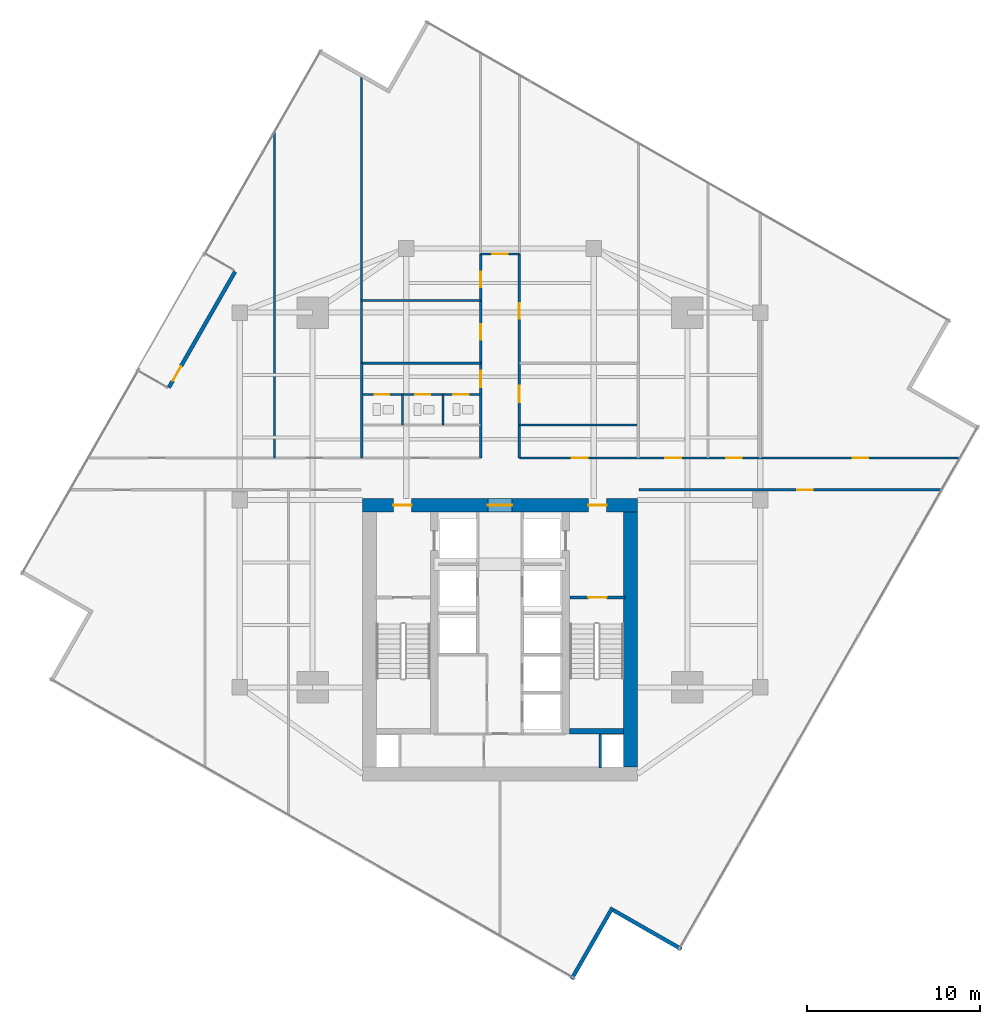
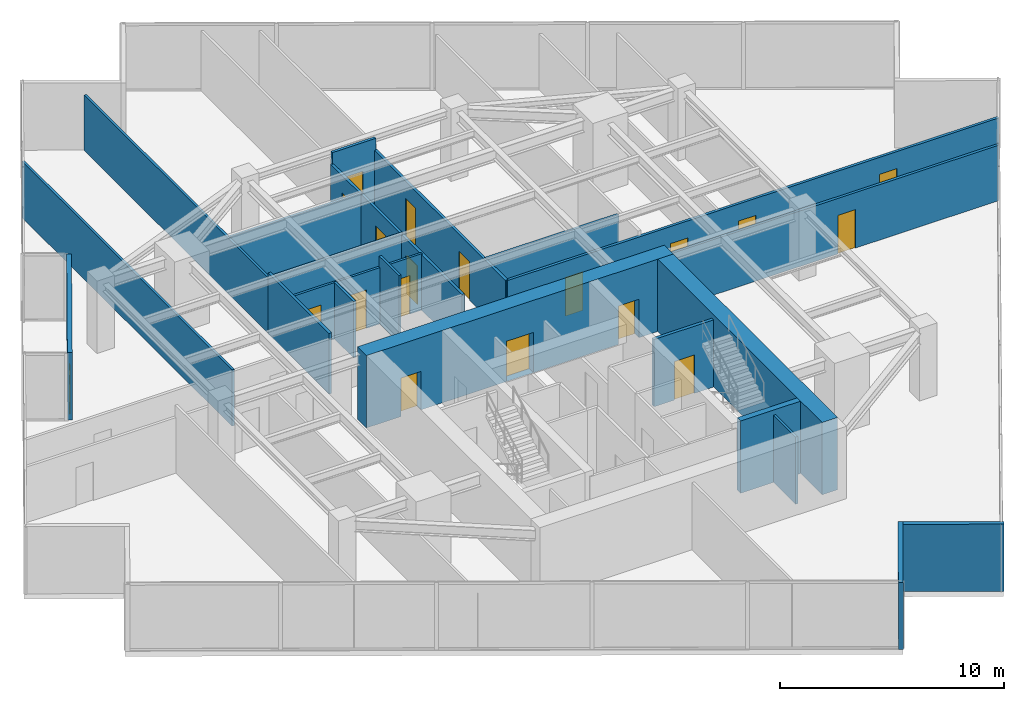
# One storey, part 21 of 24: 22 walls, 19 doors, 19 openings.
"""IFC4 building model written with IfcOpenShell, lengths in metres."""

from ifc_helpers import new_model, si_unit, direction, frame, frame_2d, origin, place, context, subcontext, project, spatial, rectangle, extrude, material, layer, layer_set, type_object, element, fill, save


model = new_model("IFC4")

# Units and contexts
model_context = context("Model", 3, precision=1e-05, world=origin(), true_north=direction((0.0, 1.0)))
body_context = subcontext(model_context, "Body", "Model", "MODEL_VIEW")
ifc_project = project(units=[si_unit("LENGTHUNIT", "METRE"), si_unit("AREAUNIT", "SQUARE_METRE"), si_unit("VOLUMEUNIT", "CUBIC_METRE"), si_unit("PLANEANGLEUNIT", "RADIAN"), si_unit("MASSUNIT", "GRAM", prefix="KILO")], contexts=[model_context])

# Site, building, storey
site_placement = place(None, origin())
site = spatial("IfcSite", under=ifc_project, at=site_placement, CompositionType="ELEMENT")
building_placement = place(site_placement, origin())
building = spatial("IfcBuilding", under=site, at=building_placement, Name="Krantzveldt Concourse Tower", CompositionType="ELEMENT")
storey_placement = place(building_placement, frame((0.0, 0.0, 162.0)))
storey = spatial("IfcBuildingStorey", under=building, at=storey_placement, Name="L39", CompositionType="ELEMENT", Elevation=162.0)

# Wall, opening, door
ifc_material_1 = material(Name="Anodised aluminium 6063-T6", Category="aluminium")
ifc_layer_1 = layer(ifc_material_1, 0.219970703125, Name="Anodised aluminium 6063-T6", Category="aluminium")
ifc_layer_set_1 = layer_set([ifc_layer_1], Name="Anodised aluminium 6063-T6 (WL-EXT-NOTCH220)")
wall_type_1 = type_object("IfcWallType", Name="WL-EXT-NOTCH220", PredefinedType="ELEMENTEDWALL", material=ifc_layer_set_1)
wall_1_placement = place(storey_placement, frame((16.910400390625, 33.181884765625, 0.0), z_axis=(0.0, 0.0, 1.0), x_axis=(0.496214153759, 0.868200157572, 0.0)))
wall_1 = element("IfcWall", 1, at=wall_1_placement, inside=storey, type_object=wall_type_1, Name="EW-L39-TSLOT", PredefinedType="ELEMENTEDWALL", context=body_context, shape_type="SweptSolid", body=[
    extrude(rectangle(XDim=7.68994140625, YDim=0.219970703125, at=frame_2d((3.844970703125, 0.0))), origin(), (0.0, 0.0, 1.0), 3.669921875),
])
opening_1_placement = place(wall_1_placement, frame((0.449951171875, 0.0, 0.0)))
opening_1 = element("IfcOpeningElement", 2, at=opening_1_placement, cuts=wall_1, Name="Opening D-EX95", PredefinedType="OPENING", context=body_context, shape_type="SweptSolid", body=[
    extrude(rectangle(XDim=0.949951171875, YDim=2.10009765625, at=frame_2d((0.47509765625, 1.050048828125))), frame((0.0, 0.1201171875, 0.0), z_axis=(0.0, -1.0, 0.0), x_axis=(1.0, 0.0, 0.0)), (0.0, 0.0, 1.0), 0.239990234375),
])
door_type_1 = type_object("IfcDoorType", Name="DR-EXT-950", OperationType="SINGLE_SWING_LEFT", PredefinedType="DOOR", material=ifc_material_1)
door_1_placement = place(opening_1_placement, origin())
door_1 = element("IfcDoor", 3, at=door_1_placement, inside=storey, type_object=door_type_1, Name="DR-L39-TERR", OperationType="SINGLE_SWING_LEFT", OverallHeight=2.10009765625, OverallWidth=0.949951171875, PredefinedType="DOOR", context=body_context, shape_type="SweptSolid", body=[
    extrude(rectangle(XDim=0.949951171875, YDim=2.10009765625, at=frame_2d((0.47509765625, 1.050048828125))), frame((0.0, 0.02490234375, 0.0), z_axis=(0.0, -1.0, 0.0), x_axis=(1.0, 0.0, 0.0)), (0.0, 0.0, 1.0), 0.050048828125),
])
fill(opening_1, door_1)

# Walls
wall_2_placement = place(storey_placement, frame((40.131591796875, -0.914794921875, 0.0), z_axis=(0.0, 0.0, 1.0), x_axis=(0.496205429031, 0.868205144076, 0.0)))
element("IfcWall", 4, at=wall_2_placement, inside=storey, type_object=wall_type_1, Name="EW-L39-NCH09", PredefinedType="ELEMENTEDWALL", context=body_context, shape_type="SweptSolid", body=[
    extrude(rectangle(XDim=4.744873046875, YDim=0.219970703125, at=frame_2d((2.37255859375, 0.0))), origin(), (0.0, 0.0, 1.0), 3.669921875),
])
wall_3_placement = place(storey_placement, frame((42.527099609375, 3.0546875, 0.0), z_axis=(0.0, 0.0, 1.0), x_axis=(0.868193332938, -0.496226094278, 0.0)))
element("IfcWall", 5, at=wall_3_placement, inside=storey, type_object=wall_type_1, Name="EW-L39-NCH10", PredefinedType="ELEMENTEDWALL", context=body_context, shape_type="SweptSolid", body=[
    extrude(rectangle(XDim=4.52490234375, YDim=0.219970703125, at=frame_2d((2.262451171875, 0.0))), origin(), (0.0, 0.0, 1.0), 3.669921875),
])
ifc_material_2 = material(Name="Fire-rated gypsum plasterboard on steel stud", Category="steel")
ifc_layer_2 = layer(ifc_material_2, 0.1201171875, Name="Fire-rated gypsum plasterboard on steel stud", Category="steel")
ifc_layer_set_2 = layer_set([ifc_layer_2], Name="Fire-rated gypsum plasterboard on steel stud (WL-PART-120)")
wall_type_2 = type_object("IfcWallType", Name="WL-PART-120", PredefinedType="PARTITIONING", material=ifc_layer_set_2)
wall_4_placement = place(storey_placement, frame((37.1201171875, 31.02001953125, 0.0), z_axis=(0.0, 0.0, 1.0), x_axis=(1.0, 0.0, 0.0)))
element("IfcWall", 6, at=wall_4_placement, inside=storey, type_object=wall_type_2, Name="WP-L39-ISMR", PredefinedType="PARTITIONING", context=body_context, shape_type="SweptSolid", body=[
    extrude(rectangle(XDim=6.85986328125, YDim=0.1201171875, at=frame_2d((3.429931640625, 0.0))), origin(), (0.0, 0.0, 1.0), 3.080078125),
])

# Wall, openings, doors
wall_5_placement = place(storey_placement, frame((28.050048828125, 32.780029296875, 0.0), z_axis=(0.0, 0.0, 1.0), x_axis=(1.0, 0.0, 0.0)))
wall_5 = element("IfcWall", 7, at=wall_5_placement, inside=storey, type_object=wall_type_2, Name="WP-L39-WCHDR", PredefinedType="PARTITIONING", context=body_context, shape_type="SweptSolid", body=[
    extrude(rectangle(XDim=6.800048828125, YDim=0.1201171875, at=frame_2d((3.39990234375, 0.0))), origin(), (0.0, 0.0, 1.0), 3.080078125),
])
opening_2_placement = place(wall_5_placement, frame((0.72509765625, 0.0, 0.0)))
opening_2 = element("IfcOpeningElement", 8, at=opening_2_placement, cuts=wall_5, Name="Opening D-IN085", PredefinedType="OPENING", context=body_context, shape_type="SweptSolid", body=[
    extrude(rectangle(XDim=0.85009765625, YDim=2.10009765625, at=frame_2d((0.425048828125, 1.050048828125))), frame((0.0, 0.070068359375, 0.0), z_axis=(0.0, -1.0, 0.0), x_axis=(1.0, 0.0, 0.0)), (0.0, 0.0, 1.0), 0.14013671875),
])
opening_3_placement = place(wall_5_placement, frame((3.06494140625, 0.0, 0.0)))
opening_3 = element("IfcOpeningElement", 9, at=opening_3_placement, cuts=wall_5, Name="Opening D-IN085", PredefinedType="OPENING", context=body_context, shape_type="SweptSolid", body=[
    extrude(rectangle(XDim=0.85009765625, YDim=2.10009765625, at=frame_2d((0.425048828125, 1.050048828125))), frame((0.0, 0.070068359375, 0.0), z_axis=(0.0, -1.0, 0.0), x_axis=(1.0, 0.0, 0.0)), (0.0, 0.0, 1.0), 0.14013671875),
])
opening_4_placement = place(wall_5_placement, frame((5.25, 0.0, 0.0)))
opening_4 = element("IfcOpeningElement", 10, at=opening_4_placement, cuts=wall_5, Name="Opening D-IN090", PredefinedType="OPENING", context=body_context, shape_type="SweptSolid", body=[
    extrude(rectangle(XDim=0.89990234375, YDim=2.10009765625, at=frame_2d((0.449951171875, 1.050048828125))), frame((0.0, 0.070068359375, 0.0), z_axis=(0.0, -1.0, 0.0), x_axis=(1.0, 0.0, 0.0)), (0.0, 0.0, 1.0), 0.14013671875),
])
ifc_material_3 = material(Name="Hardwood timber", Category="wood")
door_type_2 = type_object("IfcDoorType", Name="DR-INT-850", OperationType="SINGLE_SWING_LEFT", PredefinedType="DOOR", material=ifc_material_3)
door_2_placement = place(opening_2_placement, origin())
door_2 = element("IfcDoor", 11, at=door_2_placement, inside=storey, type_object=door_type_2, Name="DR-L39-WCM", OperationType="SINGLE_SWING_LEFT", OverallHeight=2.10009765625, OverallWidth=0.85009765625, PredefinedType="DOOR", context=body_context, shape_type="SweptSolid", body=[
    extrude(rectangle(XDim=0.85009765625, YDim=2.10009765625, at=frame_2d((0.425048828125, 1.050048828125))), frame((0.0, 0.02490234375, 0.0), z_axis=(0.0, -1.0, 0.0), x_axis=(1.0, 0.0, 0.0)), (0.0, 0.0, 1.0), 0.050048828125),
])
fill(opening_2, door_2)
door_3_placement = place(opening_3_placement, origin())
door_3 = element("IfcDoor", 12, at=door_3_placement, inside=storey, type_object=door_type_2, Name="DR-L39-WCF", OperationType="SINGLE_SWING_RIGHT", OverallHeight=2.10009765625, OverallWidth=0.85009765625, PredefinedType="DOOR", context=body_context, shape_type="SweptSolid", body=[
    extrude(rectangle(XDim=0.85009765625, YDim=2.10009765625, at=frame_2d((0.425048828125, 1.050048828125))), frame((0.0, 0.02490234375, 0.0), z_axis=(0.0, -1.0, 0.0), x_axis=(1.0, 0.0, 0.0)), (0.0, 0.0, 1.0), 0.050048828125),
])
fill(opening_3, door_3)
door_type_3 = type_object("IfcDoorType", Name="DR-INT-900", OperationType="SINGLE_SWING_LEFT", PredefinedType="DOOR", material=ifc_material_3)
door_4_placement = place(opening_4_placement, origin())
door_4 = element("IfcDoor", 13, at=door_4_placement, inside=storey, type_object=door_type_3, Name="DR-L39-WCA", OperationType="SINGLE_SWING_LEFT", OverallHeight=2.10009765625, OverallWidth=0.89990234375, PredefinedType="DOOR", context=body_context, shape_type="SweptSolid", body=[
    extrude(rectangle(XDim=0.89990234375, YDim=2.10009765625, at=frame_2d((0.449951171875, 1.050048828125))), frame((0.0, 0.02490234375, 0.0), z_axis=(0.0, -1.0, 0.0), x_axis=(1.0, 0.0, 0.0)), (0.0, 0.0, 1.0), 0.050048828125),
])
fill(opening_4, door_4)

# Walls
wall_6_placement = place(storey_placement, frame((30.3701171875, 31.02001953125, 0.0), z_axis=(0.0, 0.0, 1.0), x_axis=(0.0, 1.0, 0.0)))
element("IfcWall", 14, at=wall_6_placement, inside=storey, type_object=wall_type_2, Name="WP-L39-WCD1", PredefinedType="PARTITIONING", context=body_context, shape_type="SweptSolid", body=[
    extrude(rectangle(XDim=1.760009765625, YDim=0.1201171875, at=frame_2d((0.8798828125, 0.0))), origin(), (0.0, 0.0, 1.0), 3.080078125),
])
wall_7_placement = place(storey_placement, frame((32.7099609375, 31.02001953125, 0.0), z_axis=(0.0, 0.0, 1.0), x_axis=(0.0, 1.0, 0.0)))
element("IfcWall", 15, at=wall_7_placement, inside=storey, type_object=wall_type_2, Name="WP-L39-WCD2", PredefinedType="PARTITIONING", context=body_context, shape_type="SweptSolid", body=[
    extrude(rectangle(XDim=1.760009765625, YDim=0.1201171875, at=frame_2d((0.8798828125, 0.0))), origin(), (0.0, 0.0, 1.0), 3.669921875),
])
wall_8_placement = place(storey_placement, frame((23.0, 29.1201171875, 0.0), z_axis=(0.0, 0.0, 1.0), x_axis=(0.0, 1.0, 0.0)))
element("IfcWall", 16, at=wall_8_placement, inside=storey, type_object=wall_type_2, Name="WP-L39-NWX1", PredefinedType="PARTITIONING", context=body_context, shape_type="SweptSolid", body=[
    extrude(rectangle(XDim=18.787109375, YDim=0.1201171875, at=frame_2d((9.3935546875, 0.0))), origin(), (0.0, 0.0, 1.0), 3.080078125),
])
wall_9_placement = place(storey_placement, frame((28.02001953125, 34.580078125, 0.0), z_axis=(0.0, 0.0, 1.0), x_axis=(0.0, 1.0, 0.0)))
element("IfcWall", 17, at=wall_9_placement, inside=storey, type_object=wall_type_2, Name="WP-L39-ISWL2", PredefinedType="PARTITIONING", context=body_context, shape_type="SweptSolid", body=[
    extrude(rectangle(XDim=16.463134765625, YDim=0.1201171875, at=frame_2d((8.2314453125, 0.0))), origin(), (0.0, 0.0, 1.0), 3.030029296875),
])
wall_10_placement = place(storey_placement, frame((28.02001953125, 38.199951171875, 0.0), z_axis=(0.0, 0.0, 1.0), x_axis=(1.0, 0.0, 0.0)))
element("IfcWall", 18, at=wall_10_placement, inside=storey, type_object=wall_type_2, Name="WP-L39-NWIY", PredefinedType="PARTITIONING", context=body_context, shape_type="SweptSolid", body=[
    extrude(rectangle(XDim=6.85986328125, YDim=0.1201171875, at=frame_2d((3.429931640625, 0.0))), origin(), (0.0, 0.0, 1.0), 3.080078125),
])

# Wall, openings, doors
ifc_layer_3 = layer(ifc_material_2, 0.139892578125, Name="Fire-rated gypsum plasterboard on steel stud", Category="steel")
ifc_layer_set_3 = layer_set([ifc_layer_3], Name="Fire-rated gypsum plasterboard on steel stud (WL-PART-140)")
wall_type_3 = type_object("IfcWallType", Name="WL-PART-140", PredefinedType="PARTITIONING", material=ifc_layer_set_3)
wall_11_placement = place(storey_placement, frame((34.8798828125, 29.1201171875, 0.0), z_axis=(0.0, 0.0, 1.0), x_axis=(0.0, 1.0, 0.0)))
wall_11 = element("IfcWall", 19, at=wall_11_placement, inside=storey, type_object=wall_type_3, Name="WP-L39-SPWL", PredefinedType="PARTITIONING", context=body_context, shape_type="SweptSolid", body=[
    extrude(rectangle(XDim=11.759765625, YDim=0.139892578125, at=frame_2d((5.8798828125, 0.0))), origin(), (0.0, 0.0, 1.0), 3.030029296875),
])
opening_5_placement = place(wall_11_placement, frame((4.0849609375, 0.0, 0.0)))
opening_5 = element("IfcOpeningElement", 20, at=opening_5_placement, cuts=wall_11, Name="Opening D-IN095", PredefinedType="OPENING", context=body_context, shape_type="SweptSolid", body=[
    extrude(rectangle(XDim=0.949951171875, YDim=2.10009765625, at=frame_2d((0.47509765625, 1.050048828125))), frame((0.0, 0.080078125, 0.0), z_axis=(0.0, -1.0, 0.0), x_axis=(1.0, 0.0, 0.0)), (0.0, 0.0, 1.0), 0.159912109375),
])
opening_6_placement = place(wall_11_placement, frame((6.820068359375, 0.0, 0.0)))
opening_6 = element("IfcOpeningElement", 21, at=opening_6_placement, cuts=wall_11, Name="Opening D-IN090", PredefinedType="OPENING", context=body_context, shape_type="SweptSolid", body=[
    extrude(rectangle(XDim=0.89990234375, YDim=2.10009765625, at=frame_2d((0.449951171875, 1.050048828125))), frame((0.0, 0.080078125, 0.0), z_axis=(0.0, -1.0, 0.0), x_axis=(1.0, 0.0, 0.0)), (0.0, 0.0, 1.0), 0.159912109375),
])
opening_7_placement = place(wall_11_placement, frame((9.830078125, 0.0, 0.0)))
opening_7 = element("IfcOpeningElement", 22, at=opening_7_placement, cuts=wall_11, Name="Opening D-IN090", PredefinedType="OPENING", context=body_context, shape_type="SweptSolid", body=[
    extrude(rectangle(XDim=0.89990234375, YDim=2.10009765625, at=frame_2d((0.449951171875, 1.050048828125))), frame((0.0, 0.080078125, 0.0), z_axis=(0.0, -1.0, 0.0), x_axis=(1.0, 0.0, 0.0)), (0.0, 0.0, 1.0), 0.159912109375),
])
door_5_placement = place(opening_6_placement, origin())
door_5 = element("IfcDoor", 23, at=door_5_placement, inside=storey, type_object=door_type_3, Name="DR-L39-NWI1", OperationType="SINGLE_SWING_LEFT", OverallHeight=2.10009765625, OverallWidth=0.89990234375, PredefinedType="DOOR", context=body_context, shape_type="SweptSolid", body=[
    extrude(rectangle(XDim=0.89990234375, YDim=2.10009765625, at=frame_2d((0.449951171875, 1.050048828125))), frame((0.0, 0.02490234375, 0.0), z_axis=(0.0, -1.0, 0.0), x_axis=(1.0, 0.0, 0.0)), (0.0, 0.0, 1.0), 0.050048828125),
])
fill(opening_6, door_5)
door_6_placement = place(opening_7_placement, origin())
door_6 = element("IfcDoor", 24, at=door_6_placement, inside=storey, type_object=door_type_3, Name="DR-L39-NWI2", OperationType="SINGLE_SWING_LEFT", OverallHeight=2.10009765625, OverallWidth=0.89990234375, PredefinedType="DOOR", context=body_context, shape_type="SweptSolid", body=[
    extrude(rectangle(XDim=0.89990234375, YDim=2.10009765625, at=frame_2d((0.449951171875, 1.050048828125))), frame((0.0, 0.02490234375, 0.0), z_axis=(0.0, -1.0, 0.0), x_axis=(1.0, 0.0, 0.0)), (0.0, 0.0, 1.0), 0.050048828125),
])
fill(opening_7, door_6)
door_type_4 = type_object("IfcDoorType", Name="DR-INT-950", OperationType="SINGLE_SWING_LEFT", PredefinedType="DOOR", material=ifc_material_3)
door_7_placement = place(opening_5_placement, origin())
door_7 = element("IfcDoor", 25, at=door_7_placement, inside=storey, type_object=door_type_4, Name="DR-L39-WCLB", OperationType="SINGLE_SWING_LEFT", OverallHeight=2.10009765625, OverallWidth=0.949951171875, PredefinedType="DOOR", context=body_context, shape_type="SweptSolid", body=[
    extrude(rectangle(XDim=0.949951171875, YDim=2.10009765625, at=frame_2d((0.47509765625, 1.050048828125))), frame((0.0, 0.02490234375, 0.0), z_axis=(0.0, -1.0, 0.0), x_axis=(1.0, 0.0, 0.0)), (0.0, 0.0, 1.0), 0.050048828125),
])
fill(opening_5, door_7)

wall_12_placement = place(storey_placement, frame((37.1201171875, 29.1201171875, 0.0), z_axis=(0.0, 0.0, 1.0), x_axis=(0.0, 1.0, 0.0)))
wall_12 = element("IfcWall", 26, at=wall_12_placement, inside=storey, type_object=wall_type_3, Name="WP-L39-SPER", PredefinedType="PARTITIONING", context=body_context, shape_type="SweptSolid", body=[
    extrude(rectangle(XDim=11.759765625, YDim=0.139892578125, at=frame_2d((5.8798828125, 0.0))), origin(), (0.0, 0.0, 1.0), 3.030029296875),
])
opening_8_placement = place(wall_12_placement, frame((3.205078125, 0.0, 0.0)))
opening_8 = element("IfcOpeningElement", 27, at=opening_8_placement, cuts=wall_12, Name="Opening D-IN095", PredefinedType="OPENING", context=body_context, shape_type="SweptSolid", body=[
    extrude(rectangle(XDim=0.949951171875, YDim=2.10009765625, at=frame_2d((0.47509765625, 1.050048828125))), frame((0.0, 0.080078125, 0.0), z_axis=(0.0, -1.0, 0.0), x_axis=(1.0, 0.0, 0.0)), (0.0, 0.0, 1.0), 0.159912109375),
])
opening_9_placement = place(wall_12_placement, frame((8.02001953125, 0.0, 0.0)))
opening_9 = element("IfcOpeningElement", 28, at=opening_9_placement, cuts=wall_12, Name="Opening D-IN090", PredefinedType="OPENING", context=body_context, shape_type="SweptSolid", body=[
    extrude(rectangle(XDim=0.89990234375, YDim=2.10009765625, at=frame_2d((0.449951171875, 1.050048828125))), frame((0.0, 0.080078125, 0.0), z_axis=(0.0, -1.0, 0.0), x_axis=(1.0, 0.0, 0.0)), (0.0, 0.0, 1.0), 0.159912109375),
])
door_8_placement = place(opening_9_placement, origin())
door_8 = element("IfcDoor", 29, at=door_8_placement, inside=storey, type_object=door_type_3, Name="DR-L39-NEI1", OperationType="SINGLE_SWING_LEFT", OverallHeight=2.10009765625, OverallWidth=0.89990234375, PredefinedType="DOOR", context=body_context, shape_type="SweptSolid", body=[
    extrude(rectangle(XDim=0.89990234375, YDim=2.10009765625, at=frame_2d((0.449951171875, 1.050048828125))), frame((0.0, 0.02490234375, 0.0), z_axis=(0.0, -1.0, 0.0), x_axis=(1.0, 0.0, 0.0)), (0.0, 0.0, 1.0), 0.050048828125),
])
fill(opening_9, door_8)
door_9_placement = place(opening_8_placement, origin())
door_9 = element("IfcDoor", 30, at=door_9_placement, inside=storey, type_object=door_type_4, Name="DR-L39-PNT", OperationType="SINGLE_SWING_RIGHT", OverallHeight=2.10009765625, OverallWidth=0.949951171875, PredefinedType="DOOR", context=body_context, shape_type="SweptSolid", body=[
    extrude(rectangle(XDim=0.949951171875, YDim=2.10009765625, at=frame_2d((0.47509765625, 1.050048828125))), frame((0.0, 0.02490234375, 0.0), z_axis=(0.0, -1.0, 0.0), x_axis=(1.0, 0.0, 0.0)), (0.0, 0.0, 1.0), 0.050048828125),
])
fill(opening_8, door_9)

# Wall, opening, door
wall_13_placement = place(storey_placement, frame((34.8798828125, 40.8798828125, 0.0), z_axis=(0.0, 0.0, 1.0), x_axis=(1.0, 0.0, 0.0)))
wall_13 = element("IfcWall", 31, at=wall_13_placement, inside=storey, type_object=wall_type_3, Name="WP-L39-SPTOP", PredefinedType="PARTITIONING", context=body_context, shape_type="SweptSolid", body=[
    extrude(rectangle(XDim=2.240234375, YDim=0.139892578125, at=frame_2d((1.1201171875, 0.0))), origin(), (0.0, 0.0, 1.0), 3.669921875),
])
opening_10_placement = place(wall_13_placement, frame((0.669921875, 0.0, 0.0)))
opening_10 = element("IfcOpeningElement", 32, at=opening_10_placement, cuts=wall_13, Name="Opening D-IN090", PredefinedType="OPENING", context=body_context, shape_type="SweptSolid", body=[
    extrude(rectangle(XDim=0.89990234375, YDim=2.10009765625, at=frame_2d((0.449951171875, 1.050048828125))), frame((0.0, 0.080078125, 0.0), z_axis=(0.0, -1.0, 0.0), x_axis=(1.0, 0.0, 0.0)), (0.0, 0.0, 1.0), 0.159912109375),
])
door_10_placement = place(opening_10_placement, origin())
door_10 = element("IfcDoor", 33, at=door_10_placement, inside=storey, type_object=door_type_3, Name="DR-L39-NTOP", OperationType="SINGLE_SWING_LEFT", OverallHeight=2.10009765625, OverallWidth=0.89990234375, PredefinedType="DOOR", context=body_context, shape_type="SweptSolid", body=[
    extrude(rectangle(XDim=0.89990234375, YDim=2.10009765625, at=frame_2d((0.449951171875, 1.050048828125))), frame((0.0, 0.02490234375, 0.0), z_axis=(0.0, -1.0, 0.0), x_axis=(1.0, 0.0, 0.0)), (0.0, 0.0, 1.0), 0.050048828125),
])
fill(opening_10, door_10)

# Wall, openings, doors
wall_14_placement = place(storey_placement, frame((37.1201171875, 29.1201171875, 0.0), z_axis=(0.0, 0.0, 1.0), x_axis=(1.0, 0.0, 0.0)))
wall_14 = element("IfcWall", 34, at=wall_14_placement, inside=storey, type_object=wall_type_3, Name="WP-L39-EWNR", PredefinedType="PARTITIONING", context=body_context, shape_type="SweptSolid", body=[
    extrude(rectangle(XDim=25.384033203125, YDim=0.139892578125, at=frame_2d((12.69189453125, 0.0))), origin(), (0.0, 0.0, 1.0), 3.030029296875),
])
opening_11_placement = place(wall_14_placement, frame((3.030029296875, 0.0, 0.0)))
opening_11 = element("IfcOpeningElement", 35, at=opening_11_placement, cuts=wall_14, Name="Opening D-IN090", PredefinedType="OPENING", context=body_context, shape_type="SweptSolid", body=[
    extrude(rectangle(XDim=0.89990234375, YDim=2.10009765625, at=frame_2d((0.449951171875, 1.050048828125))), frame((0.0, 0.080078125, 0.0), z_axis=(0.0, -1.0, 0.0), x_axis=(1.0, 0.0, 0.0)), (0.0, 0.0, 1.0), 0.159912109375),
])
opening_12_placement = place(wall_14_placement, frame((8.419921875, 0.0, 0.0)))
opening_12 = element("IfcOpeningElement", 36, at=opening_12_placement, cuts=wall_14, Name="Opening D-IN090", PredefinedType="OPENING", context=body_context, shape_type="SweptSolid", body=[
    extrude(rectangle(XDim=0.89990234375, YDim=2.10009765625, at=frame_2d((0.449951171875, 1.050048828125))), frame((0.0, 0.080078125, 0.0), z_axis=(0.0, -1.0, 0.0), x_axis=(1.0, 0.0, 0.0)), (0.0, 0.0, 1.0), 0.159912109375),
])
opening_13_placement = place(wall_14_placement, frame((11.929931640625, 0.0, 0.0)))
opening_13 = element("IfcOpeningElement", 37, at=opening_13_placement, cuts=wall_14, Name="Opening D-IN090", PredefinedType="OPENING", context=body_context, shape_type="SweptSolid", body=[
    extrude(rectangle(XDim=0.89990234375, YDim=2.10009765625, at=frame_2d((0.449951171875, 1.050048828125))), frame((0.0, 0.080078125, 0.0), z_axis=(0.0, -1.0, 0.0), x_axis=(1.0, 0.0, 0.0)), (0.0, 0.0, 1.0), 0.159912109375),
])
opening_14_placement = place(wall_14_placement, frame((19.2041015625, 0.0, 0.0)))
opening_14 = element("IfcOpeningElement", 38, at=opening_14_placement, cuts=wall_14, Name="Opening D-IN090", PredefinedType="OPENING", context=body_context, shape_type="SweptSolid", body=[
    extrude(rectangle(XDim=0.89990234375, YDim=2.10009765625, at=frame_2d((0.449951171875, 1.050048828125))), frame((0.0, 0.080078125, 0.0), z_axis=(0.0, -1.0, 0.0), x_axis=(1.0, 0.0, 0.0)), (0.0, 0.0, 1.0), 0.159912109375),
])
door_11_placement = place(opening_11_placement, origin())
door_11 = element("IfcDoor", 39, at=door_11_placement, inside=storey, type_object=door_type_3, Name="DR-L39-ALCR", OperationType="SINGLE_SWING_RIGHT", OverallHeight=2.10009765625, OverallWidth=0.89990234375, PredefinedType="DOOR", context=body_context, shape_type="SweptSolid", body=[
    extrude(rectangle(XDim=0.89990234375, YDim=2.10009765625, at=frame_2d((0.449951171875, 1.050048828125))), frame((0.0, 0.02490234375, 0.0), z_axis=(0.0, -1.0, 0.0), x_axis=(1.0, 0.0, 0.0)), (0.0, 0.0, 1.0), 0.050048828125),
])
fill(opening_11, door_11)
door_12_placement = place(opening_12_placement, origin())
door_12 = element("IfcDoor", 40, at=door_12_placement, inside=storey, type_object=door_type_3, Name="DR-L39-NEX1", OperationType="SINGLE_SWING_RIGHT", OverallHeight=2.10009765625, OverallWidth=0.89990234375, PredefinedType="DOOR", context=body_context, shape_type="SweptSolid", body=[
    extrude(rectangle(XDim=0.89990234375, YDim=2.10009765625, at=frame_2d((0.449951171875, 1.050048828125))), frame((0.0, 0.02490234375, 0.0), z_axis=(0.0, -1.0, 0.0), x_axis=(1.0, 0.0, 0.0)), (0.0, 0.0, 1.0), 0.050048828125),
])
fill(opening_12, door_12)
door_13_placement = place(opening_13_placement, origin())
door_13 = element("IfcDoor", 41, at=door_13_placement, inside=storey, type_object=door_type_3, Name="DR-L39-NEX2", OperationType="SINGLE_SWING_RIGHT", OverallHeight=2.10009765625, OverallWidth=0.89990234375, PredefinedType="DOOR", context=body_context, shape_type="SweptSolid", body=[
    extrude(rectangle(XDim=0.89990234375, YDim=2.10009765625, at=frame_2d((0.449951171875, 1.050048828125))), frame((0.0, 0.02490234375, 0.0), z_axis=(0.0, -1.0, 0.0), x_axis=(1.0, 0.0, 0.0)), (0.0, 0.0, 1.0), 0.050048828125),
])
fill(opening_13, door_13)
door_14_placement = place(opening_14_placement, origin())
door_14 = element("IfcDoor", 42, at=door_14_placement, inside=storey, type_object=door_type_3, Name="DR-L39-NEX3", OperationType="SINGLE_SWING_RIGHT", OverallHeight=2.10009765625, OverallWidth=0.89990234375, PredefinedType="DOOR", context=body_context, shape_type="SweptSolid", body=[
    extrude(rectangle(XDim=0.89990234375, YDim=2.10009765625, at=frame_2d((0.449951171875, 1.050048828125))), frame((0.0, 0.02490234375, 0.0), z_axis=(0.0, -1.0, 0.0), x_axis=(1.0, 0.0, 0.0)), (0.0, 0.0, 1.0), 0.050048828125),
])
fill(opening_14, door_14)

# Wall, opening, door
wall_15_placement = place(storey_placement, frame((44.0, 27.280029296875, 0.0), z_axis=(0.0, 0.0, 1.0), x_axis=(1.0, 0.0, 0.0)))
wall_15 = element("IfcWall", 43, at=wall_15_placement, inside=storey, type_object=wall_type_3, Name="WP-L39-EWSR", PredefinedType="PARTITIONING", context=body_context, shape_type="SweptSolid", body=[
    extrude(rectangle(XDim=17.452392578125, YDim=0.139892578125, at=frame_2d((8.72607421875, 0.0))), origin(), (0.0, 0.0, 1.0), 3.030029296875),
])
opening_15_placement = place(wall_15_placement, frame((9.1240234375, 0.0, 0.0)))
opening_15 = element("IfcOpeningElement", 44, at=opening_15_placement, cuts=wall_15, Name="Opening D-IN090", PredefinedType="OPENING", context=body_context, shape_type="SweptSolid", body=[
    extrude(rectangle(XDim=0.89990234375, YDim=2.10009765625, at=frame_2d((0.449951171875, 1.050048828125))), frame((0.0, 0.080078125, 0.0), z_axis=(0.0, -1.0, 0.0), x_axis=(1.0, 0.0, 0.0)), (0.0, 0.0, 1.0), 0.159912109375),
])
door_15_placement = place(opening_15_placement, origin())
door_15 = element("IfcDoor", 45, at=door_15_placement, inside=storey, type_object=door_type_3, Name="DR-L39-SEX1", OperationType="SINGLE_SWING_RIGHT", OverallHeight=2.10009765625, OverallWidth=0.89990234375, PredefinedType="DOOR", context=body_context, shape_type="SweptSolid", body=[
    extrude(rectangle(XDim=0.89990234375, YDim=2.10009765625, at=frame_2d((0.449951171875, 1.050048828125))), frame((0.0, 0.02490234375, 0.0), z_axis=(0.0, -1.0, 0.0), x_axis=(1.0, 0.0, 0.0)), (0.0, 0.0, 1.0), 0.050048828125),
])
fill(opening_15, door_15)

# Walls
wall_16_placement = place(storey_placement, frame((28.02001953125, 34.580078125, 0.0), z_axis=(0.0, 0.0, 1.0), x_axis=(1.0, 0.0, 0.0)))
element("IfcWall", 46, at=wall_16_placement, inside=storey, type_object=wall_type_3, Name="WP-L39-ISNL", PredefinedType="PARTITIONING", context=body_context, shape_type="SweptSolid", body=[
    extrude(rectangle(XDim=6.85986328125, YDim=0.139892578125, at=frame_2d((3.429931640625, 0.0))), origin(), (0.0, 0.0, 1.0), 3.080078125),
])
wall_17_placement = place(storey_placement, frame((28.02001953125, 29.1201171875, 0.0), z_axis=(0.0, 0.0, 1.0), x_axis=(0.0, 1.0, 0.0)))
element("IfcWall", 47, at=wall_17_placement, inside=storey, type_object=wall_type_3, Name="WP-L39-ISWL", PredefinedType="PARTITIONING", context=body_context, shape_type="SweptSolid", body=[
    extrude(rectangle(XDim=5.4599609375, YDim=0.139892578125, at=frame_2d((2.72998046875, 0.0))), origin(), (0.0, 0.0, 1.0), 3.31005859375),
])
ifc_layer_4 = layer(ifc_material_2, 0.139892578125, Name="Fire-rated gypsum plasterboard on steel stud", Category="steel")
ifc_layer_set_4 = layer_set([ifc_layer_4], Name="Fire-rated gypsum plasterboard on steel stud (WL-PART-FR140)")
wall_type_4 = type_object("IfcWallType", Name="WL-PART-FR140", PredefinedType="PARTITIONING", material=ifc_layer_set_4)
wall_18_placement = place(storey_placement, frame((41.780029296875, 11.25, 0.0), z_axis=(0.0, 0.0, 1.0), x_axis=(0.0, 1.0, 0.0)))
element("IfcWall", 48, at=wall_18_placement, inside=storey, type_object=wall_type_4, Name="WP-L39-RSE", PredefinedType="PARTITIONING", context=body_context, shape_type="SweptSolid", body=[
    extrude(rectangle(XDim=1.969970703125, YDim=0.1201171875, at=frame_2d((0.98486328125, 0.0))), origin(), (0.0, 0.0, 1.0), 3.669921875),
])

# Wall, opening, door
ifc_layer_5 = layer(ifc_material_2, 0.159912109375, Name="Fire-rated gypsum plasterboard on steel stud", Category="steel")
ifc_layer_set_5 = layer_set([ifc_layer_5], Name="Fire-rated gypsum plasterboard on steel stud (WL-PART-FR160)")
wall_type_5 = type_object("IfcWallType", Name="WL-PART-FR160", PredefinedType="PARTITIONING", material=ifc_layer_set_5)
wall_19_placement = place(storey_placement, frame((40.0400390625, 21.080078125, 0.0), z_axis=(0.0, 0.0, 1.0), x_axis=(1.0, 0.0, 0.0)))
wall_19 = element("IfcWall", 49, at=wall_19_placement, inside=storey, type_object=wall_type_5, Name="WP-L39-ST2", PredefinedType="PARTITIONING", context=body_context, shape_type="SweptSolid", body=[
    extrude(rectangle(XDim=3.159912109375, YDim=0.159912109375, at=frame_2d((1.580078125, 0.0))), origin(), (0.0, 0.0, 1.0), 3.669921875),
])
opening_16_placement = place(wall_19_placement, frame((1.054931640625, 0.0, 0.0)))
opening_16 = element("IfcOpeningElement", 50, at=opening_16_placement, cuts=wall_19, Name="Opening D-FD105", PredefinedType="OPENING", context=body_context, shape_type="SweptSolid", body=[
    extrude(rectangle(XDim=1.050048828125, YDim=2.10009765625, at=frame_2d((0.52490234375, 1.050048828125))), frame((0.0, 0.08984375, 0.0), z_axis=(0.0, -1.0, 0.0), x_axis=(1.0, 0.0, 0.0)), (0.0, 0.0, 1.0), 0.179931640625),
])
ifc_material_4 = material(Name="Galvanised steel", Category="steel")
door_type_5 = type_object("IfcDoorType", Name="DR-FD120-1050", OperationType="SINGLE_SWING_LEFT", PredefinedType="DOOR", material=ifc_material_4)
door_16_placement = place(opening_16_placement, origin())
door_16 = element("IfcDoor", 51, at=door_16_placement, inside=storey, type_object=door_type_5, Name="DR-L39-ST2", OperationType="SINGLE_SWING_LEFT", OverallHeight=2.10009765625, OverallWidth=1.050048828125, PredefinedType="DOOR", context=body_context, shape_type="SweptSolid", body=[
    extrude(rectangle(XDim=1.050048828125, YDim=2.10009765625, at=frame_2d((0.52490234375, 1.050048828125))), frame((0.0, 0.02490234375, 0.0), z_axis=(0.0, -1.0, 0.0), x_axis=(1.0, 0.0, 0.0)), (0.0, 0.0, 1.0), 0.050048828125),
])
fill(opening_16, door_16)

# Wall
ifc_material_5 = material(Name="Concrete C50/60", Category="concrete")
ifc_layer_6 = layer(ifc_material_5, 0.300048828125, Name="Concrete C50/60", Category="concrete")
ifc_layer_set_6 = layer_set([ifc_layer_6], Name="Concrete C50/60 (WL-SHEAR-300)")
wall_type_6 = type_object("IfcWallType", Name="WL-SHEAR-300", PredefinedType="SHEAR", material=ifc_layer_set_6)
wall_20_placement = place(storey_placement, frame((40.02001953125, 13.3701171875, 0.0), z_axis=(0.0, 0.0, 1.0), x_axis=(1.0, 0.0, 0.0)))
element("IfcWall", 52, at=wall_20_placement, inside=storey, type_object=wall_type_6, Name="CW-L39-ST2S", PredefinedType="SHEAR", context=body_context, shape_type="SweptSolid", body=[
    extrude(rectangle(XDim=3.10009765625, YDim=0.300048828125, at=frame_2d((1.550048828125, 0.0))), origin(), (0.0, 0.0, 1.0), 3.949951171875),
])

# Wall, openings, doors
ifc_material_6 = material(Name="Concrete C60/75", Category="concrete")
ifc_layer_7 = layer(ifc_material_6, 0.800048828125, Name="Concrete C60/75", Category="concrete")
ifc_layer_set_7 = layer_set([ifc_layer_7], Name="Concrete C60/75 (WL-SHEAR-800)")
wall_type_7 = type_object("IfcWallType", Name="WL-SHEAR-800", PredefinedType="SHEAR", material=ifc_layer_set_7)
wall_21_placement = place(storey_placement, frame((28.080078125, 26.39990234375, 0.0), z_axis=(0.0, 0.0, 1.0), x_axis=(1.0, 0.0, 0.0)))
wall_21 = element("IfcWall", 53, at=wall_21_placement, inside=storey, type_object=wall_type_7, Name="CW-L39-N", PredefinedType="SHEAR", context=body_context, shape_type="SweptSolid", body=[
    extrude(rectangle(XDim=15.83984375, YDim=0.800048828125, at=frame_2d((7.919921875, 0.0))), origin(), (0.0, 0.0, 1.0), 3.949951171875),
])
opening_17_placement = place(wall_21_placement, frame((7.219970703125, 0.0, 0.0)))
opening_17 = element("IfcOpeningElement", 54, at=opening_17_placement, cuts=wall_21, Name="Opening D-DB140", PredefinedType="OPENING", context=body_context, shape_type="SweptSolid", body=[
    extrude(rectangle(XDim=1.39990234375, YDim=2.199951171875, at=frame_2d((0.699951171875, 1.10009765625))), frame((0.0, 0.41015625, 0.0), z_axis=(0.0, -1.0, 0.0), x_axis=(1.0, 0.0, 0.0)), (0.0, 0.0, 1.0), 0.820068359375),
])
opening_18_placement = place(wall_21_placement, frame((1.77490234375, 0.0, 0.0)))
opening_18 = element("IfcOpeningElement", 55, at=opening_18_placement, cuts=wall_21, Name="Opening D-FD105", PredefinedType="OPENING", context=body_context, shape_type="SweptSolid", body=[
    extrude(rectangle(XDim=1.050048828125, YDim=2.10009765625, at=frame_2d((0.52490234375, 1.050048828125))), frame((0.0, 0.41015625, 0.0), z_axis=(0.0, -1.0, 0.0), x_axis=(1.0, 0.0, 0.0)), (0.0, 0.0, 1.0), 0.820068359375),
])
opening_19_placement = place(wall_21_placement, frame((13.014892578125, 0.0, 0.0)))
opening_19 = element("IfcOpeningElement", 56, at=opening_19_placement, cuts=wall_21, Name="Opening D-FD105", PredefinedType="OPENING", context=body_context, shape_type="SweptSolid", body=[
    extrude(rectangle(XDim=1.050048828125, YDim=2.10009765625, at=frame_2d((0.52490234375, 1.050048828125))), frame((0.0, 0.41015625, 0.0), z_axis=(0.0, -1.0, 0.0), x_axis=(1.0, 0.0, 0.0)), (0.0, 0.0, 1.0), 0.820068359375),
])
door_type_6 = type_object("IfcDoorType", Name="DR-DBL-1400", OperationType="DOUBLE_DOOR_SINGLE_SWING", PredefinedType="DOOR", material=ifc_material_1)
door_17_placement = place(opening_17_placement, origin())
door_17 = element("IfcDoor", 57, at=door_17_placement, inside=storey, type_object=door_type_6, Name="DR-L39-LLB", OperationType="DOUBLE_DOOR_SINGLE_SWING", OverallHeight=2.199951171875, OverallWidth=1.39990234375, PredefinedType="DOOR", context=body_context, shape_type="SweptSolid", body=[
    extrude(rectangle(XDim=1.39990234375, YDim=2.199951171875, at=frame_2d((0.699951171875, 1.10009765625))), frame((0.0, 0.02490234375, 0.0), z_axis=(0.0, -1.0, 0.0), x_axis=(1.0, 0.0, 0.0)), (0.0, 0.0, 1.0), 0.050048828125),
])
fill(opening_17, door_17)
door_18_placement = place(opening_18_placement, origin())
door_18 = element("IfcDoor", 58, at=door_18_placement, inside=storey, type_object=door_type_5, Name="DR-L39-FFL1", OperationType="SINGLE_SWING_LEFT", OverallHeight=2.10009765625, OverallWidth=1.050048828125, PredefinedType="DOOR", context=body_context, shape_type="SweptSolid", body=[
    extrude(rectangle(XDim=1.050048828125, YDim=2.10009765625, at=frame_2d((0.52490234375, 1.050048828125))), frame((0.0, 0.02490234375, 0.0), z_axis=(0.0, -1.0, 0.0), x_axis=(1.0, 0.0, 0.0)), (0.0, 0.0, 1.0), 0.050048828125),
])
fill(opening_18, door_18)
door_19_placement = place(opening_19_placement, origin())
door_19 = element("IfcDoor", 59, at=door_19_placement, inside=storey, type_object=door_type_5, Name="DR-L39-FFL2", OperationType="SINGLE_SWING_RIGHT", OverallHeight=2.10009765625, OverallWidth=1.050048828125, PredefinedType="DOOR", context=body_context, shape_type="SweptSolid", body=[
    extrude(rectangle(XDim=1.050048828125, YDim=2.10009765625, at=frame_2d((0.52490234375, 1.050048828125))), frame((0.0, 0.02490234375, 0.0), z_axis=(0.0, -1.0, 0.0), x_axis=(1.0, 0.0, 0.0)), (0.0, 0.0, 1.0), 0.050048828125),
])
fill(opening_19, door_19)

# Wall
wall_22_placement = place(storey_placement, frame((43.52001953125, 11.300048828125, 0.0), z_axis=(0.0, 0.0, 1.0), x_axis=(0.0, 1.0, 0.0)))
element("IfcWall", 60, at=wall_22_placement, inside=storey, type_object=wall_type_7, Name="CW-L39-E", PredefinedType="SHEAR", context=body_context, shape_type="SweptSolid", body=[
    extrude(rectangle(XDim=14.699951171875, YDim=0.800048828125, at=frame_2d((7.35009765625, 0.0))), origin(), (0.0, 0.0, 1.0), 3.949951171875),
])

save(model, "model.ifc")
